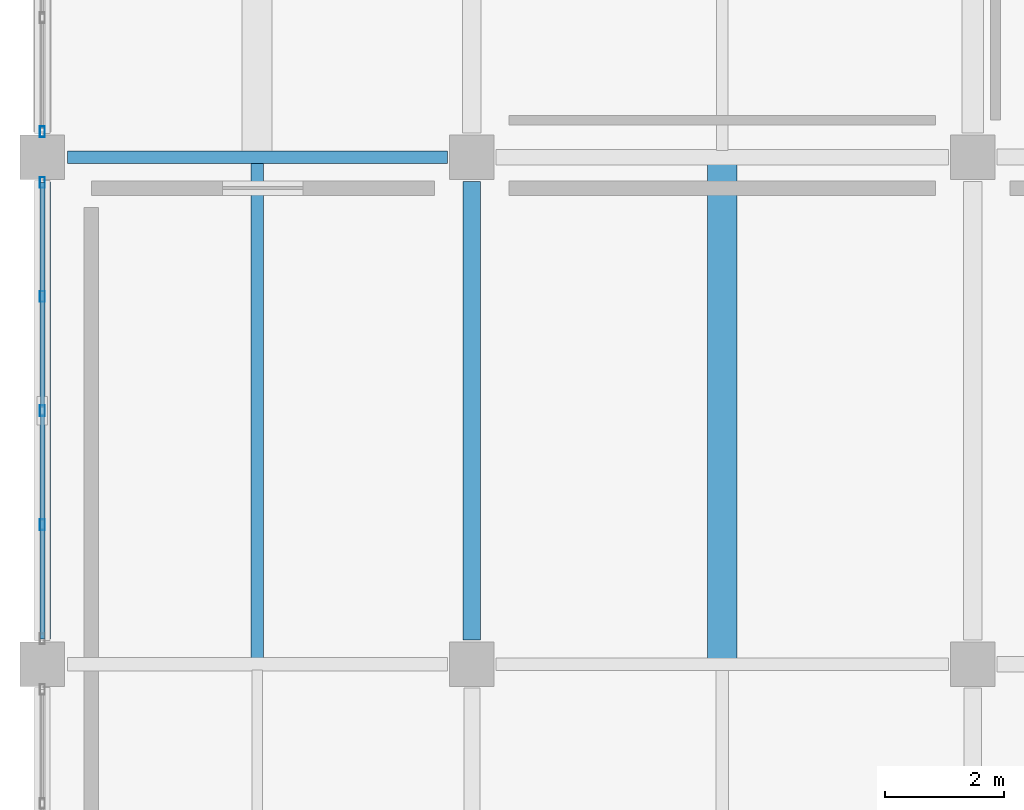
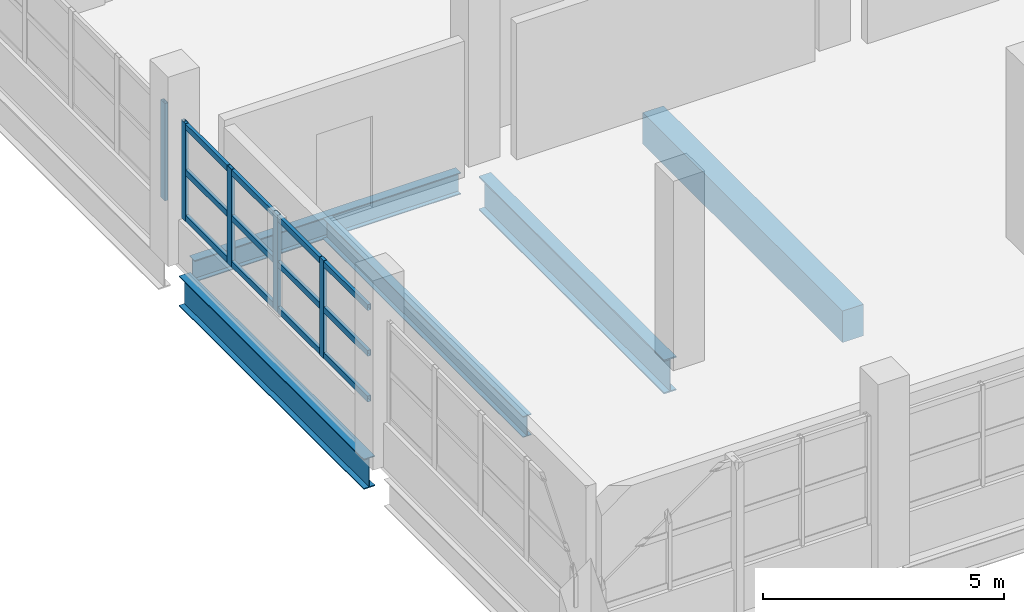
# One storey, part 34 of 117: 8 members, 5 beams, 2 elements without a shape of their own.
"""IFC4 building model written with IfcOpenShell, lengths in metres."""

from ifc_helpers import new_model, si_unit, direction, frame, origin, origin_2d, place, context, subcontext, project, spatial, rectangle, hollow_rectangle, i_section, extrude, material, material_profile, profile_set, type_object, element, aggregate, save


model = new_model("IFC4")

# Units and contexts
model_context = context("Model", 3, precision=1e-05, world=origin(), true_north=direction((0.0, 1.0)))
body_context = subcontext(model_context, "Body", "Model", "MODEL_VIEW")
ifc_project = project(units=[si_unit("LENGTHUNIT", "METRE"), si_unit("AREAUNIT", "SQUARE_METRE"), si_unit("VOLUMEUNIT", "CUBIC_METRE"), si_unit("PLANEANGLEUNIT", "RADIAN"), si_unit("MASSUNIT", "GRAM", prefix="KILO")], contexts=[model_context])

# Site, building, storey
site_placement = place(None, origin())
site = spatial("IfcSite", under=ifc_project, at=site_placement, CompositionType="ELEMENT")
building_placement = place(site_placement, origin())
building = spatial("IfcBuilding", under=site, at=building_placement, Name="Solvento Point Concert Hall", CompositionType="ELEMENT")
storey_placement = place(building_placement, frame((0.0, 0.0, 5.39990234375)))
storey = spatial("IfcBuildingStorey", under=building, at=storey_placement, Name="L01", CompositionType="ELEMENT", Elevation=5.39990234375)

# Beams
ifc_material_1 = material(Name="Concrete C35/45", Category="concrete")
ifc_material_profile_1 = material_profile(ifc_material_1, rectangle(XDim=0.5, YDim=0.800048828125, at=origin_2d()), Name="RC-BM-500X800")
ifc_profile_set_1 = profile_set([ifc_material_profile_1], Name="Concrete C35/45")
beam_type_1 = type_object("IfcBeamType", Name="Beam_RC_500x800", PredefinedType="BEAM", material=ifc_profile_set_1)
beam_1_placement = place(storey_placement, frame((11.39990234375, 110.592041015625, -0.683837890625), z_axis=(0.0, 1.0, 0.0), x_axis=(-1.0, 0.0, 0.0)))
element("IfcBeam", 1, at=beam_1_placement, inside=storey, type_object=beam_type_1, Name="Secondary floor joist B-63 L01", PredefinedType="BEAM", context=body_context, shape_type="SweptSolid", body=[
    extrude(rectangle(XDim=0.5, YDim=0.800048828125, at=origin_2d()), origin(), (0.0, 0.0, 1.0), 8.294921875),
])
ifc_material_2 = material(Name="Structural Steel ASTM A992 Grade 50", Category="steel")
ifc_material_profile_2 = material_profile(ifc_material_2, i_section(OverallWidth=0.20947265625, OverallDepth=0.532958984375, WebThickness=0.01025390625, FlangeThickness=0.015625, at=origin_2d()), Name="W21X62")
ifc_profile_set_2 = profile_set([ifc_material_profile_2], Name="Structural Steel ASTM A992 Grade 50")
beam_type_2 = type_object("IfcBeamType", Name="Beam_W21X62", PredefinedType="BEAM", material=ifc_profile_set_2)
beam_2_placement = place(storey_placement, frame((3.60009765625, 110.59912109375, -0.55029296875), z_axis=(0.0, 1.0, 0.0), x_axis=(-1.0, 0.0, 0.0)))
element("IfcBeam", 2, at=beam_2_placement, inside=storey, type_object=beam_type_2, Name="Secondary floor joist B-25 L01", PredefinedType="BEAM", context=body_context, shape_type="SweptSolid", body=[
    extrude(i_section(OverallWidth=0.20947265625, OverallDepth=0.532958984375, WebThickness=0.01025390625, FlangeThickness=0.015625, at=origin_2d()), origin(), (0.0, 0.0, 1.0), 8.308837890625),
])
ifc_material_3 = material(Name="Structural Steel ASTM A992 Grade 50", Category="steel")
ifc_material_profile_3 = material_profile(ifc_material_3, i_section(OverallWidth=0.214111328125, OverallDepth=0.549072265625, WebThickness=0.0146484375, FlangeThickness=0.023681640625, at=origin_2d()), Name="W21X93")
ifc_profile_set_3 = profile_set([ifc_material_profile_3], Name="Structural Steel ASTM A992 Grade 50")
beam_type_3 = type_object("IfcBeamType", Name="Beam_W21X93", PredefinedType="BEAM", material=ifc_profile_set_3)
beam_3_placement = place(storey_placement, frame((0.4189453125, 119.0, -0.558349609375), z_axis=(1.0, 0.0, 0.0), x_axis=(0.0, 1.0, 0.0)))
element("IfcBeam", 3, at=beam_3_placement, inside=storey, type_object=beam_type_3, Name="Primary girder B-48 L01", PredefinedType="BEAM", context=body_context, shape_type="SweptSolid", body=[
    extrude(i_section(OverallWidth=0.214111328125, OverallDepth=0.549072265625, WebThickness=0.0146484375, FlangeThickness=0.023681640625, at=origin_2d()), origin(), (0.0, 0.0, 1.0), 6.376953125),
])
ifc_material_4 = material(Name="Structural Steel ASTM A992 Grade 50", Category="steel")
ifc_material_profile_4 = material_profile(ifc_material_4, i_section(OverallWidth=0.26806640625, OverallDepth=0.77001953125, WebThickness=0.015625, FlangeThickness=0.025390625, at=origin_2d()), Name="W30X132")
ifc_profile_set_4 = profile_set([ifc_material_profile_4], Name="Structural Steel ASTM A992 Grade 50")
beam_type_4 = type_object("IfcBeamType", Name="Girder_W30X132", PredefinedType="USERDEFINED", material=ifc_profile_set_4)
beam_4_placement = place(storey_placement, frame((0.0, 110.9189453125, -0.6689453125), z_axis=(0.0, 1.0, 0.0), x_axis=(-1.0, 0.0, 0.0)))
element("IfcBeam", 4, at=beam_4_placement, inside=storey, type_object=beam_type_4, Name="Primary girder B-68 L01", ObjectType="GIRDER", PredefinedType="USERDEFINED", context=body_context, shape_type="SweptSolid", body=[
    extrude(i_section(OverallWidth=0.26806640625, OverallDepth=0.77001953125, WebThickness=0.015625, FlangeThickness=0.025390625, at=origin_2d()), origin(), (0.0, 0.0, 1.0), 7.662109375),
])
ifc_material_5 = material(Name="Structural Steel ASTM A992 Grade 50", Category="steel")
ifc_material_profile_5 = material_profile(ifc_material_5, i_section(OverallWidth=0.2919921875, OverallDepth=0.85888671875, WebThickness=0.01708984375, FlangeThickness=0.031005859375, at=origin_2d()), Name="W33X169")
ifc_profile_set_5 = profile_set([ifc_material_profile_5], Name="Structural Steel ASTM A992 Grade 50")
beam_type_5 = type_object("IfcBeamType", Name="Girder_W33X169", PredefinedType="USERDEFINED", material=ifc_profile_set_5)
beam_5_placement = place(storey_placement, frame((7.199951171875, 110.904052734375, -0.71337890625), z_axis=(0.0, 1.0, 0.0), x_axis=(-1.0, 0.0, 0.0)))
element("IfcBeam", 5, at=beam_5_placement, inside=storey, type_object=beam_type_5, Name="Primary girder B-33 L01", ObjectType="GIRDER", PredefinedType="USERDEFINED", context=body_context, shape_type="SweptSolid", body=[
    extrude(i_section(OverallWidth=0.2919921875, OverallDepth=0.85888671875, WebThickness=0.01708984375, FlangeThickness=0.031005859375, at=origin_2d()), origin(), (0.0, 0.0, 1.0), 7.69189453125),
])

# Curtain wall, members
ifc_material_6 = material(Name="Anodized Bronze Aluminium", Category="aluminium")
curtain_wall_type = type_object("IfcCurtainWallType", Name="CurtainWall_CourtPilotis", PredefinedType="USERDEFINED", material=ifc_material_6)
curtain_wall_1_placement = place(storey_placement, origin())
curtain_wall_1 = element("IfcCurtainWall", 6, at=curtain_wall_1_placement, inside=storey, type_object=curtain_wall_type, Name="Unitised curtain wall CW-96 UCW-L01-120", ObjectType="UNITISED CURTAIN WALL", PredefinedType="USERDEFINED")
ifc_material_7 = material(Name="Anodized Bronze Aluminium", Category="aluminium")
ifc_material_profile_6 = material_profile(ifc_material_7, hollow_rectangle(XDim=0.080078125, YDim=0.179931640625, WallThickness=0.00390625, at=origin_2d()), Name="CW-MUL-80X180")
ifc_profile_set_6 = profile_set([ifc_material_profile_6], Name="Anodized Bronze Aluminium")
member_type_1 = type_object("IfcMemberType", Name="Mullion_80x180", PredefinedType="MULLION", material=ifc_profile_set_6)
member_1_placement = place(storey_placement, frame((0.0, 112.83740234375, 1.1201171875), z_axis=(0.0, 0.0, 1.0), x_axis=(1.0, 0.0, 0.0)))
member_1 = element("IfcMember", 7, at=member_1_placement, type_object=member_type_1, Name="Curtain wall mullion ML-01", PredefinedType="MULLION", context=body_context, shape_type="SweptSolid", body=[
    extrude(hollow_rectangle(XDim=0.080078125, YDim=0.179931640625, WallThickness=0.00390625, at=origin_2d()), origin(), (0.0, 0.0, 1.0), 2.47509765625),
])
member_2_placement = place(storey_placement, frame((0.0, 114.75, 1.1201171875), z_axis=(0.0, 0.0, 1.0), x_axis=(1.0, 0.0, 0.0)))
member_2 = element("IfcMember", 8, at=member_2_placement, type_object=member_type_1, Name="Curtain wall mullion ML-01", PredefinedType="MULLION", context=body_context, shape_type="SweptSolid", body=[
    extrude(hollow_rectangle(XDim=0.080078125, YDim=0.179931640625, WallThickness=0.00390625, at=origin_2d()), origin(), (0.0, 0.0, 1.0), 2.47509765625),
])
member_3_placement = place(storey_placement, frame((0.0, 116.66259765625, 1.1201171875), z_axis=(0.0, 0.0, 1.0), x_axis=(1.0, 0.0, 0.0)))
member_3 = element("IfcMember", 9, at=member_3_placement, type_object=member_type_1, Name="Curtain wall mullion ML-01", PredefinedType="MULLION", context=body_context, shape_type="SweptSolid", body=[
    extrude(hollow_rectangle(XDim=0.080078125, YDim=0.179931640625, WallThickness=0.00390625, at=origin_2d()), origin(), (0.0, 0.0, 1.0), 2.47509765625),
])
member_4_placement = place(storey_placement, frame((0.0, 118.574951171875, 1.1201171875), z_axis=(0.0, 0.0, 1.0), x_axis=(1.0, 0.0, 0.0)))
member_4 = element("IfcMember", 10, at=member_4_placement, type_object=member_type_1, Name="Curtain wall mullion ML-01", PredefinedType="MULLION", context=body_context, shape_type="SweptSolid", body=[
    extrude(hollow_rectangle(XDim=0.080078125, YDim=0.179931640625, WallThickness=0.00390625, at=origin_2d()), origin(), (0.0, 0.0, 1.0), 2.47509765625),
])

# Curtain wall, member
curtain_wall_2_placement = place(storey_placement, origin())
curtain_wall_2 = element("IfcCurtainWall", 11, at=curtain_wall_2_placement, inside=storey, type_object=curtain_wall_type, Name="Unitised curtain wall CW-96 UCW-L01-121", ObjectType="UNITISED CURTAIN WALL", PredefinedType="USERDEFINED")
member_5_placement = place(storey_placement, frame((0.0, 119.425048828125, 1.1201171875), z_axis=(0.0, 0.0, 1.0), x_axis=(1.0, 0.0, 0.0)))
member_5 = element("IfcMember", 12, at=member_5_placement, type_object=member_type_1, Name="Curtain wall mullion ML-01", PredefinedType="MULLION", context=body_context, shape_type="SweptSolid", body=[
    extrude(hollow_rectangle(XDim=0.080078125, YDim=0.179931640625, WallThickness=0.00390625, at=origin_2d()), origin(), (0.0, 0.0, 1.0), 2.467041015625),
])
aggregate(curtain_wall_2, [member_5])

# Member
ifc_material_8 = material(Name="Anodized Bronze Aluminium", Category="aluminium")
ifc_material_profile_7 = material_profile(ifc_material_8, hollow_rectangle(XDim=0.080078125, YDim=0.14990234375, WallThickness=0.00390625, at=origin_2d()), Name="CW-TRN-80X150")
ifc_profile_set_7 = profile_set([ifc_material_profile_7], Name="Anodized Bronze Aluminium")
member_type_2 = type_object("IfcMemberType", Name="Transom_80x150", PredefinedType="USERDEFINED", material=ifc_profile_set_7)
member_6_placement = place(storey_placement, frame((0.0, 110.925048828125, 1.2001953125), z_axis=(0.0, 1.0, 0.0), x_axis=(-1.0, 0.0, 0.0)))
member_6 = element("IfcMember", 13, at=member_6_placement, type_object=member_type_2, Name="Curtain wall transom TR-01", ObjectType="TRANSOM", PredefinedType="USERDEFINED", context=body_context, shape_type="SweptSolid", body=[
    extrude(hollow_rectangle(XDim=0.080078125, YDim=0.14990234375, WallThickness=0.00390625, at=origin_2d()), origin(), (0.0, 0.0, 1.0), 7.64990234375),
])

member_7_placement = place(storey_placement, frame((0.0, 110.925048828125, 2.357666015625), z_axis=(0.0, 1.0, 0.0), x_axis=(-1.0, 0.0, 0.0)))
member_7 = element("IfcMember", 14, at=member_7_placement, type_object=member_type_2, Name="Curtain wall transom TR-01", ObjectType="TRANSOM", PredefinedType="USERDEFINED", context=body_context, shape_type="SweptSolid", body=[
    extrude(hollow_rectangle(XDim=0.080078125, YDim=0.14990234375, WallThickness=0.00390625, at=origin_2d()), origin(), (0.0, 0.0, 1.0), 7.64990234375),
])

member_8_placement = place(storey_placement, frame((0.0, 110.925048828125, 3.51513671875), z_axis=(0.0, 1.0, 0.0), x_axis=(-1.0, 0.0, 0.0)))
member_8 = element("IfcMember", 15, at=member_8_placement, type_object=member_type_2, Name="Curtain wall transom TR-01", ObjectType="TRANSOM", PredefinedType="USERDEFINED", context=body_context, shape_type="SweptSolid", body=[
    extrude(hollow_rectangle(XDim=0.080078125, YDim=0.14990234375, WallThickness=0.00390625, at=origin_2d()), origin(), (0.0, 0.0, 1.0), 7.64990234375),
])

aggregate(curtain_wall_1, [member_1, member_2, member_3, member_4, member_6, member_7, member_8])

save(model, "model.ifc")
